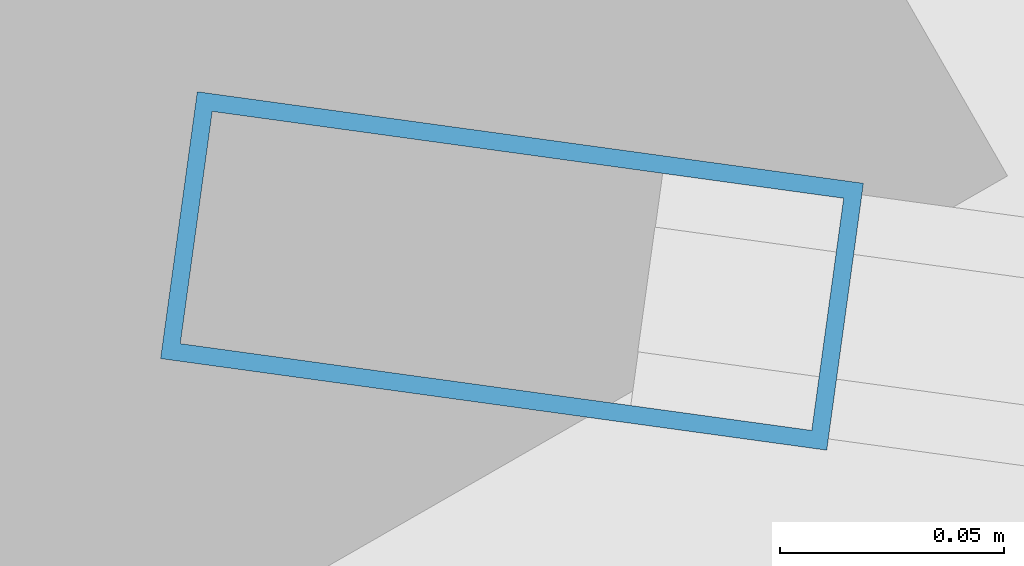
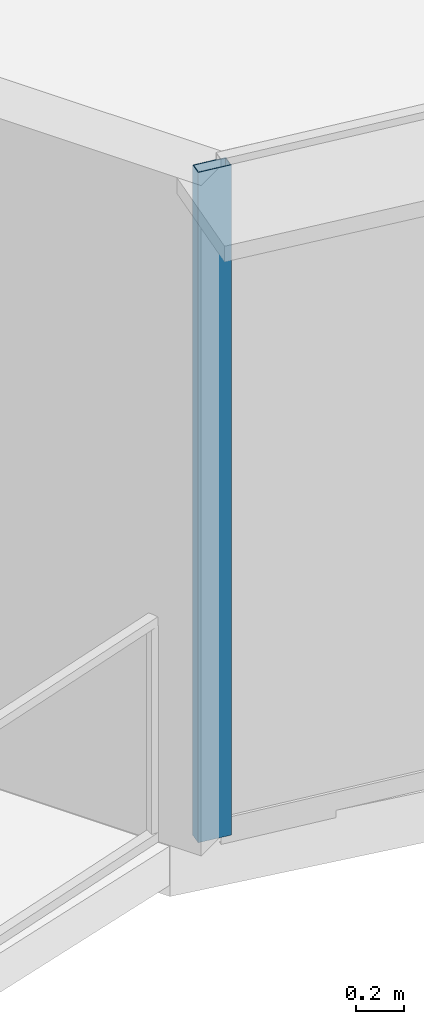
# One storey, part 2 of 39: 1 member, 1 element without a shape of its own.
"""IFC4 building model written with IfcOpenShell, lengths in metres."""

from ifc_helpers import new_model, si_unit, direction, frame, origin, origin_2d, place, context, subcontext, project, spatial, hollow_rectangle, extrude, source, transform, mapped, material, layer, layer_set, material_profile, profile_set, type_object, element, aggregate, save


model = new_model("IFC4")

# Units and contexts
model_context = context("Model", 3, precision=1e-05, world=origin(), true_north=direction((0.0, 1.0)))
body_context = subcontext(model_context, "Body", "Model", "MODEL_VIEW")
ifc_project = project(units=[si_unit("LENGTHUNIT", "METRE"), si_unit("AREAUNIT", "SQUARE_METRE"), si_unit("VOLUMEUNIT", "CUBIC_METRE"), si_unit("PLANEANGLEUNIT", "RADIAN"), si_unit("MASSUNIT", "GRAM", prefix="KILO"), si_unit("THERMODYNAMICTEMPERATUREUNIT", "KELVIN"), si_unit("POWERUNIT", "WATT")], contexts=[model_context])

# Site, building, storey
site_placement = place(None, origin())
site = spatial("IfcSite", under=ifc_project, at=site_placement, CompositionType="ELEMENT")
building_placement = place(site_placement, origin())
building = spatial("IfcBuilding", under=site, at=building_placement, Name="Yunzhuo Pagoda Commons", CompositionType="ELEMENT")
storey_placement = place(building_placement, frame((0.0, 0.0, 140.8701171875)))
storey = spatial("IfcBuildingStorey", under=building, at=storey_placement, Name="L35", CompositionType="ELEMENT", Elevation=140.8701171875)

# Curtain wall, member
ifc_material = material(Name="Anodized aluminium 6063-T6", Category="aluminium")
ifc_layer = layer(ifc_material, 0.14990234375)
ifc_layer_set = layer_set([ifc_layer], Name="Anodized aluminium 6063-T6")
curtain_wall_type = type_object("IfcCurtainWallType", Name="CW-MID Mid-Zone Ribbon Curtain Wall", PredefinedType="NOTDEFINED", material=ifc_layer_set)
curtain_wall_placement = place(storey_placement, origin())
curtain_wall = element("IfcCurtainWall", 1, at=curtain_wall_placement, inside=storey, type_object=curtain_wall_type, Name="L35 curtain wall CW-L35-F1B1", PredefinedType="NOTDEFINED")
ifc_material_profile = material_profile(ifc_material, hollow_rectangle(XDim=0.06005859375, YDim=0.14990234375, WallThickness=0.00390625, at=origin_2d()), Name="Anodized aluminium 6063-T6")
ifc_profile_set = profile_set([ifc_material_profile], Name="Anodized aluminium 6063-T6")
member_type = type_object("IfcMemberType", Name="CW-MID-M Mullion RHS 150x60x4", PredefinedType="MULLION", material=ifc_profile_set)
shared_shape = source(origin(), body_context, "Body", "SweptSolid", [
    extrude(hollow_rectangle(XDim=0.06005859375, YDim=0.14990234375, WallThickness=0.00390625, at=origin_2d()), origin(), (0.0, 0.0, 1.0), 3.419921875),
])
member_placement = place(storey_placement, frame((12.514404296875, 16.39990234375, 0.0), z_axis=(0.0, 0.0, 1.0), x_axis=(0.136220738131, 0.990678510165, 0.0)))
member = element("IfcMember", 2, at=member_placement, type_object=member_type, Name="CW mullion 1", PredefinedType="MULLION", context=body_context, shape_type="MappedRepresentation", body=[
    mapped(shared_shape, transform((0.0, 0.0, 0.0), scale=1.0)),
])
aggregate(curtain_wall, [member])

save(model, "model.ifc")
